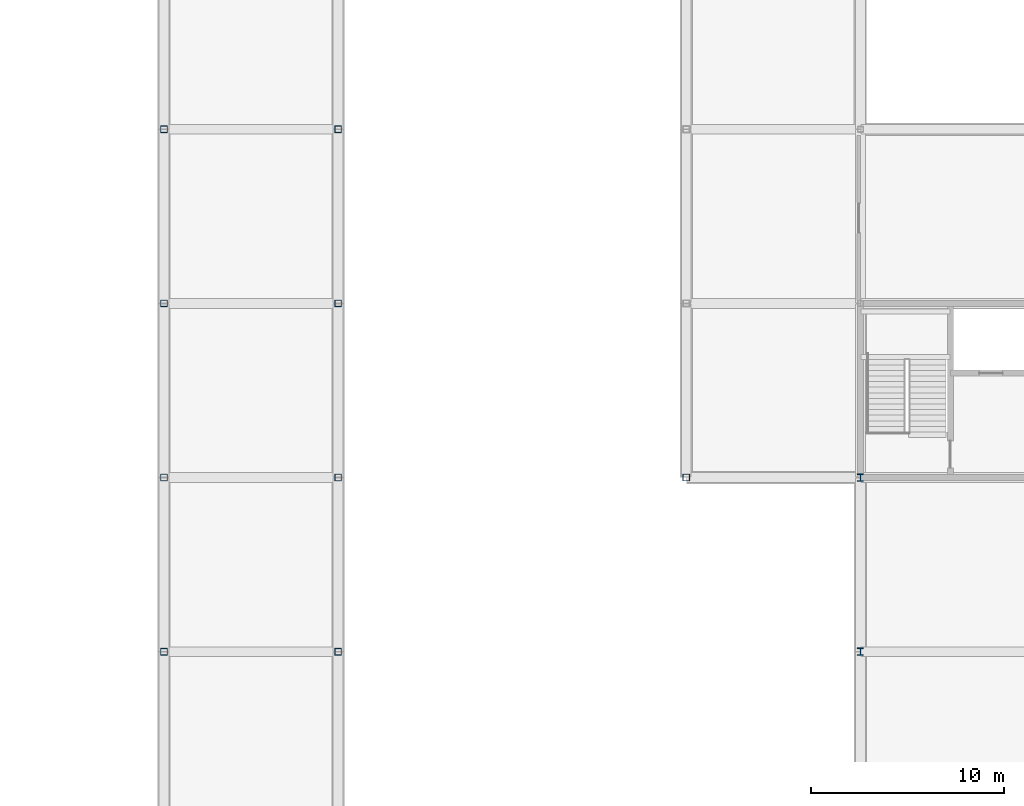
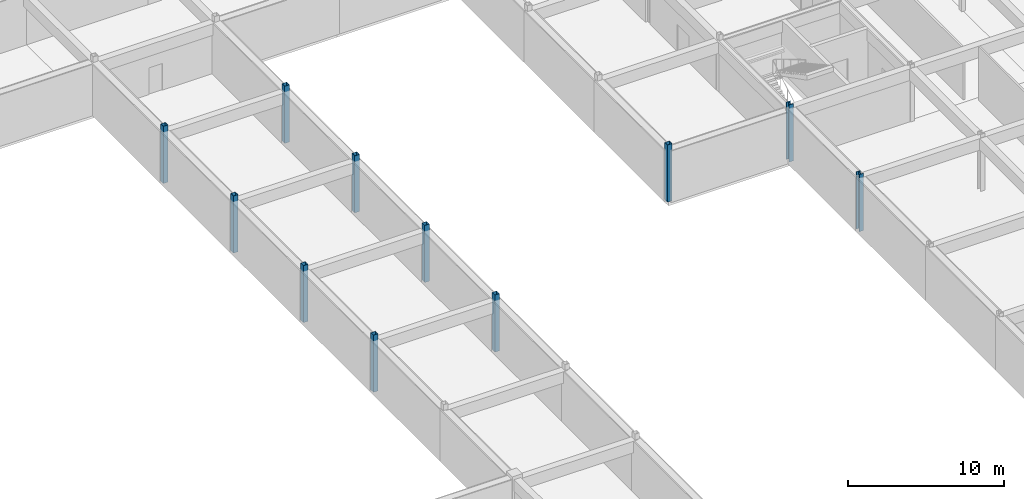
# One storey, part 4 of 35: 11 columns.
"""IFC4 building model written with IfcOpenShell, lengths in metres."""

from ifc_helpers import new_model, si_unit, direction, frame, origin, origin_2d, place, context, subcontext, project, spatial, hollow_rectangle, i_section, extrude, material, material_profile, profile_set, type_object, element, save


model = new_model("IFC4")

# Units and contexts
model_context = context("Model", 3, precision=1e-05, world=origin(), true_north=direction((0.0, 1.0)))
body_context = subcontext(model_context, "Body", "Model", "MODEL_VIEW")
ifc_project = project(units=[si_unit("LENGTHUNIT", "METRE"), si_unit("AREAUNIT", "SQUARE_METRE"), si_unit("VOLUMEUNIT", "CUBIC_METRE"), si_unit("PLANEANGLEUNIT", "RADIAN"), si_unit("MASSUNIT", "GRAM", prefix="KILO")], contexts=[model_context])

# Site, building, storey
site_placement = place(None, origin())
site = spatial("IfcSite", under=ifc_project, at=site_placement, CompositionType="ELEMENT")
building_placement = place(site_placement, origin())
building = spatial("IfcBuilding", under=site, at=building_placement, Name="Palais des Congres Ocreval", CompositionType="ELEMENT")
storey_placement = place(building_placement, frame((0.0, 0.0, -4.47998046875)))
storey = spatial("IfcBuildingStorey", under=building, at=storey_placement, Name="B1", CompositionType="ELEMENT", Elevation=-4.47998046875)

# Columns
ifc_material = material(Name="Steel S355", Category="steel")
ifc_material_profile_1 = material_profile(ifc_material, i_section(OverallWidth=0.30810546875, OverallDepth=0.39501953125, WebThickness=0.02099609375, FlangeThickness=0.0400390625, at=origin_2d()), Name="HEM 360")
ifc_profile_set_1 = profile_set([ifc_material_profile_1], Name="Steel S355")
column_type_1 = type_object("IfcColumnType", Name="Column HEM 360 Steel S355", PredefinedType="COLUMN", material=ifc_profile_set_1)
for number, where, z_axis, x_axis, name in (
    (1, (108.0, 36.0, 0.0), (0.0, 0.0, 1.0), (1.0, 0.0, 0.0), "Column C07 B1"),
    (2, (108.0, 45.0, 0.0), (0.0, 0.0, 1.0), (1.0, 0.0, 0.0), "Column C07 B1"),
):
    element("IfcColumn", number, at=place(storey_placement, frame(where, z_axis=z_axis, x_axis=x_axis)), inside=storey, type_object=column_type_1, Name=name, PredefinedType="COLUMN", context=body_context, shape_type="SweptSolid", body=[
        extrude(i_section(OverallWidth=0.30810546875, OverallDepth=0.39501953125, WebThickness=0.02099609375, FlangeThickness=0.0400390625, at=origin_2d()), origin(), (0.0, 0.0, 1.0), 4.47998046875),
    ])
ifc_material_profile_2 = material_profile(ifc_material, hollow_rectangle(XDim=0.35009765625, YDim=0.35009765625, WallThickness=0.01611328125, at=origin_2d()), Name="RHS 350x350x16")
ifc_profile_set_2 = profile_set([ifc_material_profile_2], Name="Steel S355")
column_type_2 = type_object("IfcColumnType", Name="Column RHS 350x350x16 Steel S355", PredefinedType="COLUMN", material=ifc_profile_set_2)
for number, where, z_axis, x_axis, name in (
    (3, (72.0, 36.0, 0.0), (0.0, 0.0, 1.0), (1.0, 0.0, 0.0), "Column C18 B1"),
    (4, (72.0, 45.0, 0.0), (0.0, 0.0, 1.0), (1.0, 0.0, 0.0), "Column C18 B1"),
    (5, (72.0, 54.0, 0.0), (0.0, 0.0, 1.0), (1.0, 0.0, 0.0), "Column C18 B1"),
    (6, (72.0, 63.0, 0.0), (0.0, 0.0, 1.0), (1.0, 0.0, 0.0), "Column C18 B1"),
    (7, (81.0, 36.0, 0.0), (0.0, 0.0, 1.0), (1.0, 0.0, 0.0), "Column C18 B1"),
    (8, (81.0, 45.0, 0.0), (0.0, 0.0, 1.0), (1.0, 0.0, 0.0), "Column C18 B1"),
    (9, (81.0, 54.0, 0.0), (0.0, 0.0, 1.0), (1.0, 0.0, 0.0), "Column C18 B1"),
    (10, (81.0, 63.0, 0.0), (0.0, 0.0, 1.0), (1.0, 0.0, 0.0), "Column C18 B1"),
    (11, (99.0, 45.0, 0.0), (0.0, 0.0, 1.0), (1.0, 0.0, 0.0), "Column C18 B1"),
):
    element("IfcColumn", number, at=place(storey_placement, frame(where, z_axis=z_axis, x_axis=x_axis)), inside=storey, type_object=column_type_2, Name=name, PredefinedType="COLUMN", context=body_context, shape_type="SweptSolid", body=[
        extrude(hollow_rectangle(XDim=0.35009765625, YDim=0.35009765625, WallThickness=0.01611328125, at=origin_2d()), origin(), (0.0, 0.0, 1.0), 4.47998046875),
    ])

save(model, "model.ifc")
